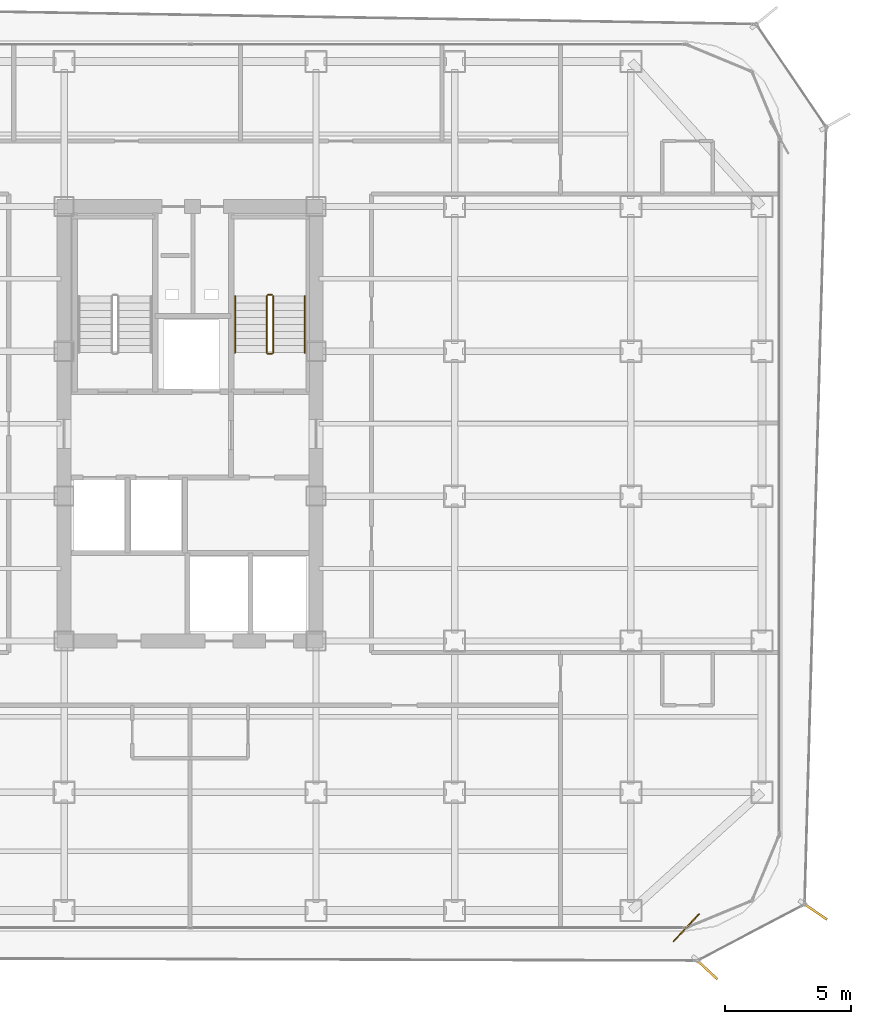
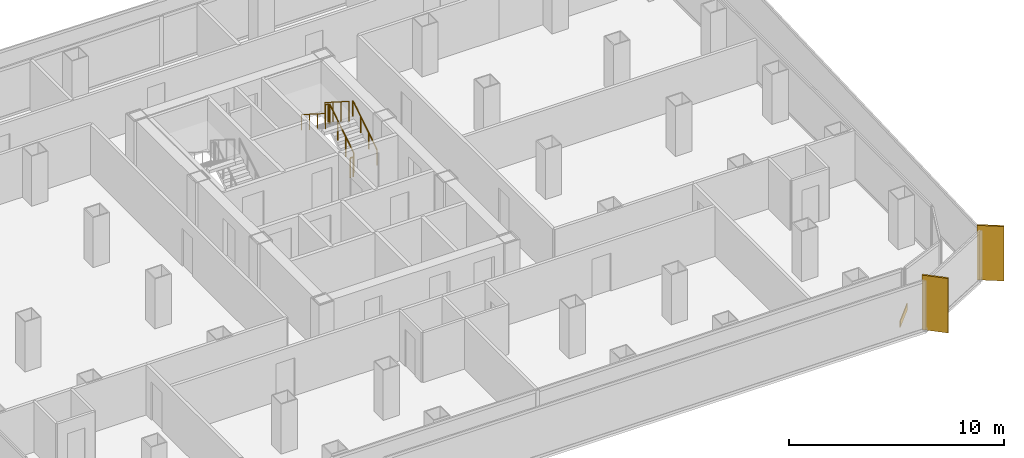
# One storey, part 20 of 21: 6 railings, 2 shading devices, 1 covering.
"""IFC4 building model written with IfcOpenShell, lengths in metres."""

from ifc_helpers import new_model, si_unit, direction, frame, origin, origin_2d, place, context, subcontext, project, spatial, rectangle, circle, extrude, source, transform, mapped, material, layer, layer_set, type_object, element, save


model = new_model("IFC4")

# Units and contexts
model_context = context("Model", 3, precision=1e-05, world=origin(), true_north=direction((0.0, 1.0)))
body_context = subcontext(model_context, "Body", "Model", "MODEL_VIEW")
ifc_project = project(units=[si_unit("LENGTHUNIT", "METRE"), si_unit("AREAUNIT", "SQUARE_METRE"), si_unit("VOLUMEUNIT", "CUBIC_METRE"), si_unit("PLANEANGLEUNIT", "RADIAN"), si_unit("MASSUNIT", "GRAM", prefix="KILO")], contexts=[model_context])

# Site, building, storey
site_placement = place(None, origin())
site = spatial("IfcSite", under=ifc_project, at=site_placement, CompositionType="ELEMENT")
building_placement = place(site_placement, origin())
building = spatial("IfcBuilding", under=site, at=building_placement, Name="Kolveth Station Tower", CompositionType="ELEMENT")
storey_placement = place(building_placement, frame((0.0, 0.0, 140.699951171875)))
storey = spatial("IfcBuildingStorey", under=building, at=storey_placement, Name="L39", CompositionType="ELEMENT", Elevation=140.699951171875)

# Railings
ifc_material_1 = material(Name="Painted Steel S355 balustrade", Category="steel")
railing_type_1 = type_object("IfcRailingType", Name="Guard_GR2", PredefinedType="BALUSTRADE", material=ifc_material_1)
railing_1_placement = place(storey_placement, frame((26.800048828125, 22.949951171875, 0.177734375)))
element("IfcRailing", 1, at=railing_1_placement, inside=storey, type_object=railing_type_1, Name="L39 ST2 stair guard 1", PredefinedType="BALUSTRADE", context=body_context, shape_type="SweptSolid", body=[
    extrude(circle(Radius=0.02392578125, at=origin_2d()), frame((0.0, 0.0, 1.1259765625), z_axis=(0.0, 0.84418770128, 0.536047689118), x_axis=(-1.0, 0.0, 0.0)), (0.0, 0.0, 1.0), 2.6533203125),
    extrude(circle(Radius=0.02099609375, at=origin_2d()), origin(), (0.0, 0.0, 1.0), 1.101806640625),
    extrude(circle(Radius=0.02099609375, at=origin_2d()), frame((0.0, 0.74658203125, 0.47412109375)), (0.0, 0.0, 1.0), 1.101806640625),
    extrude(circle(Radius=0.02099609375, at=origin_2d()), frame((0.0, 1.493408203125, 0.9482421875)), (0.0, 0.0, 1.0), 1.101806640625),
    extrude(circle(Radius=0.02099609375, at=origin_2d()), frame((0.0, 2.239990234375, 1.42236328125)), (0.0, 0.0, 1.0), 1.101806640625),
])
railing_2_placement = place(storey_placement, frame((26.75, 25.239990234375, 1.60009765625)))
element("IfcRailing", 2, at=railing_2_placement, inside=storey, type_object=railing_type_1, Name="L39 ST2 stair guard 2", PredefinedType="BALUSTRADE", context=body_context, shape_type="SweptSolid", body=[
    extrude(circle(Radius=0.02392578125, at=origin_2d()), frame((0.0, 0.0, 1.1259765625), z_axis=(-1.0, 0.0, 0.0), x_axis=(0.0, -1.0, 0.0)), (0.0, 0.0, 1.0), 0.159912109375),
    extrude(circle(Radius=0.02099609375, at=origin_2d()), origin(), (0.0, 0.0, 1.0), 1.101806640625),
    extrude(circle(Radius=0.02099609375, at=origin_2d()), frame((-0.159912109375, 0.0, 0.0)), (0.0, 0.0, 1.0), 1.101806640625),
])
railing_3_placement = place(storey_placement, frame((26.5400390625, 25.18994140625, 1.77783203125)))
element("IfcRailing", 3, at=railing_3_placement, inside=storey, type_object=railing_type_1, Name="L39 ST2 stair guard 3", PredefinedType="BALUSTRADE", context=body_context, shape_type="SweptSolid", body=[
    extrude(circle(Radius=0.02392578125, at=origin_2d()), frame((0.0, 0.0, 1.1259765625), z_axis=(0.0, -0.8442293374, 0.53598211339), x_axis=(1.0, 0.0, 0.0)), (0.0, 0.0, 1.0), 2.6533203125),
    extrude(circle(Radius=0.02099609375, at=origin_2d()), origin(), (0.0, 0.0, 1.0), 1.101806640625),
    extrude(circle(Radius=0.02099609375, at=origin_2d()), frame((0.0, -0.74658203125, 0.47412109375)), (0.0, 0.0, 1.0), 1.101806640625),
    extrude(circle(Radius=0.02099609375, at=origin_2d()), frame((0.0, -1.493408203125, 0.947998046875)), (0.0, 0.0, 1.0), 1.101806640625),
    extrude(circle(Radius=0.02099609375, at=origin_2d()), frame((0.0, -2.239990234375, 1.422119140625)), (0.0, 0.0, 1.0), 1.101806640625),
])
railing_4_placement = place(storey_placement, frame((26.75, 22.89990234375, 0.0)))
element("IfcRailing", 4, at=railing_4_placement, inside=storey, type_object=railing_type_1, Name="L39 ST2 stair guard 4", PredefinedType="BALUSTRADE", context=body_context, shape_type="SweptSolid", body=[
    extrude(circle(Radius=0.02392578125, at=origin_2d()), frame((0.0, 0.0, 1.1259765625), z_axis=(-1.0, 0.0, 0.0), x_axis=(0.0, -1.0, 0.0)), (0.0, 0.0, 1.0), 0.159912109375),
    extrude(circle(Radius=0.02099609375, at=origin_2d()), origin(), (0.0, 0.0, 1.0), 1.101806640625),
    extrude(circle(Radius=0.02099609375, at=origin_2d()), frame((-0.159912109375, 0.0, 0.0)), (0.0, 0.0, 1.0), 1.101806640625),
])
ifc_material_2 = material(Name="Brushed stainless steel", Category="steel")
railing_type_2 = type_object("IfcRailingType", Name="Handrail_HR1", PredefinedType="HANDRAIL", material=ifc_material_2)
railing_5_placement = place(storey_placement, frame((28.050048828125, 22.949951171875, 0.177734375)))
element("IfcRailing", 5, at=railing_5_placement, inside=storey, type_object=railing_type_2, Name="L39 ST2 stair handrail 1", PredefinedType="HANDRAIL", context=body_context, shape_type="SweptSolid", body=[
    extrude(circle(Radius=0.02392578125, at=origin_2d()), frame((0.0, 0.0, 0.8759765625), z_axis=(0.0, 0.84418770128, 0.536047689118), x_axis=(-1.0, 0.0, 0.0)), (0.0, 0.0, 1.0), 2.6533203125),
    extrude(circle(Radius=0.02099609375, at=origin_2d()), origin(), (0.0, 0.0, 1.0), 0.851806640625),
    extrude(circle(Radius=0.02099609375, at=origin_2d()), frame((0.0, 0.74658203125, 0.47412109375)), (0.0, 0.0, 1.0), 0.851806640625),
    extrude(circle(Radius=0.02099609375, at=origin_2d()), frame((0.0, 1.493408203125, 0.9482421875)), (0.0, 0.0, 1.0), 0.851806640625),
    extrude(circle(Radius=0.02099609375, at=origin_2d()), frame((0.0, 2.239990234375, 1.42236328125)), (0.0, 0.0, 1.0), 0.851806640625),
])
railing_6_placement = place(storey_placement, frame((25.2900390625, 25.18994140625, 1.77783203125)))
element("IfcRailing", 6, at=railing_6_placement, inside=storey, type_object=railing_type_2, Name="L39 ST2 stair handrail 2", PredefinedType="HANDRAIL", context=body_context, shape_type="SweptSolid", body=[
    extrude(circle(Radius=0.02392578125, at=origin_2d()), frame((0.0, 0.0, 0.8759765625), z_axis=(0.0, -0.8442293374, 0.53598211339), x_axis=(1.0, 0.0, 0.0)), (0.0, 0.0, 1.0), 2.6533203125),
    extrude(circle(Radius=0.02099609375, at=origin_2d()), origin(), (0.0, 0.0, 1.0), 0.851806640625),
    extrude(circle(Radius=0.02099609375, at=origin_2d()), frame((0.0, -0.74658203125, 0.47412109375)), (0.0, 0.0, 1.0), 0.851806640625),
    extrude(circle(Radius=0.02099609375, at=origin_2d()), frame((0.0, -1.493408203125, 0.947998046875)), (0.0, 0.0, 1.0), 0.851806640625),
    extrude(circle(Radius=0.02099609375, at=origin_2d()), frame((0.0, -2.239990234375, 1.422119140625)), (0.0, 0.0, 1.0), 0.851806640625),
])

# Shading devices
ifc_material_3 = material(Name="Black anodized aluminium 6063-T6", Category="aluminium")
shading_device_type = type_object("IfcShadingDeviceType", Name="FIN_VF1", PredefinedType="USERDEFINED", material=ifc_material_3)
shared_shape_1 = source(origin(), body_context, "Body", "SweptSolid", [
    extrude(rectangle(XDim=1.25, YDim=0.090087890625, at=origin_2d()), origin(), (0.0, 0.0, 1.0), 3.10009765625),
])
for number, where, z_axis, x_axis, name in (
    (7, (43.972900390625, -1.49609375, 0.0), (0.0, 0.0, 1.0), (0.730400739673, -0.683018857343, 0.0), "L39 Dark-Aluminium Solar Fin 1"),
    (8, (48.26904296875, 0.797119140625, 0.0), (0.0, 0.0, 1.0), (0.826786154745, -0.562516359159, 0.0), "L39 Dark-Aluminium Solar Fin 2"),
):
    element("IfcShadingDevice", number, at=place(storey_placement, frame(where, z_axis=z_axis, x_axis=x_axis)), inside=storey, type_object=shading_device_type, Name=name, ObjectType="FIN", PredefinedType="USERDEFINED", context=body_context, shape_type="MappedRepresentation", body=[
        mapped(shared_shape_1, transform((0.0, 0.0, 0.0), x_axis=(1.0, 0.0, 0.0), y_axis=(0.0, 1.0, 0.0), z_axis=(0.0, 0.0, 1.0), scale=1.0)),
    ])

# Covering
ifc_material_4 = material(Name="Charcoal anodized aluminium spandrel cladding", Category="aluminium")
ifc_layer = layer(ifc_material_4, 0.044921875)
ifc_layer_set = layer_set([ifc_layer], Name="Charcoal anodized aluminium spandrel cladding")
covering_type = type_object("IfcCoveringType", Name="Clad_CD1", PredefinedType="CLADDING", material=ifc_layer_set)
shared_shape_2 = source(origin(), body_context, "Body", "SweptSolid", [
    extrude(rectangle(XDim=1.5, YDim=0.044921875, at=origin_2d()), origin(), (0.0, 0.0, 1.0), 0.360107421875),
])
covering_placement = place(storey_placement, frame((43.199951171875, 0.1201171875, 0.0), z_axis=(0.0, 0.0, 1.0), x_axis=(0.683018857343, 0.730400739673, 0.0)))
element("IfcCovering", 9, at=covering_placement, inside=storey, type_object=covering_type, Name="L39 Spandrel Edge Cladding 1", PredefinedType="CLADDING", context=body_context, shape_type="MappedRepresentation", body=[
    mapped(shared_shape_2, transform((0.0, 0.0, 0.0), x_axis=(1.0, 0.0, 0.0), y_axis=(0.0, 1.0, 0.0), z_axis=(0.0, 0.0, 1.0), scale=1.0)),
])

save(model, "model.ifc")
